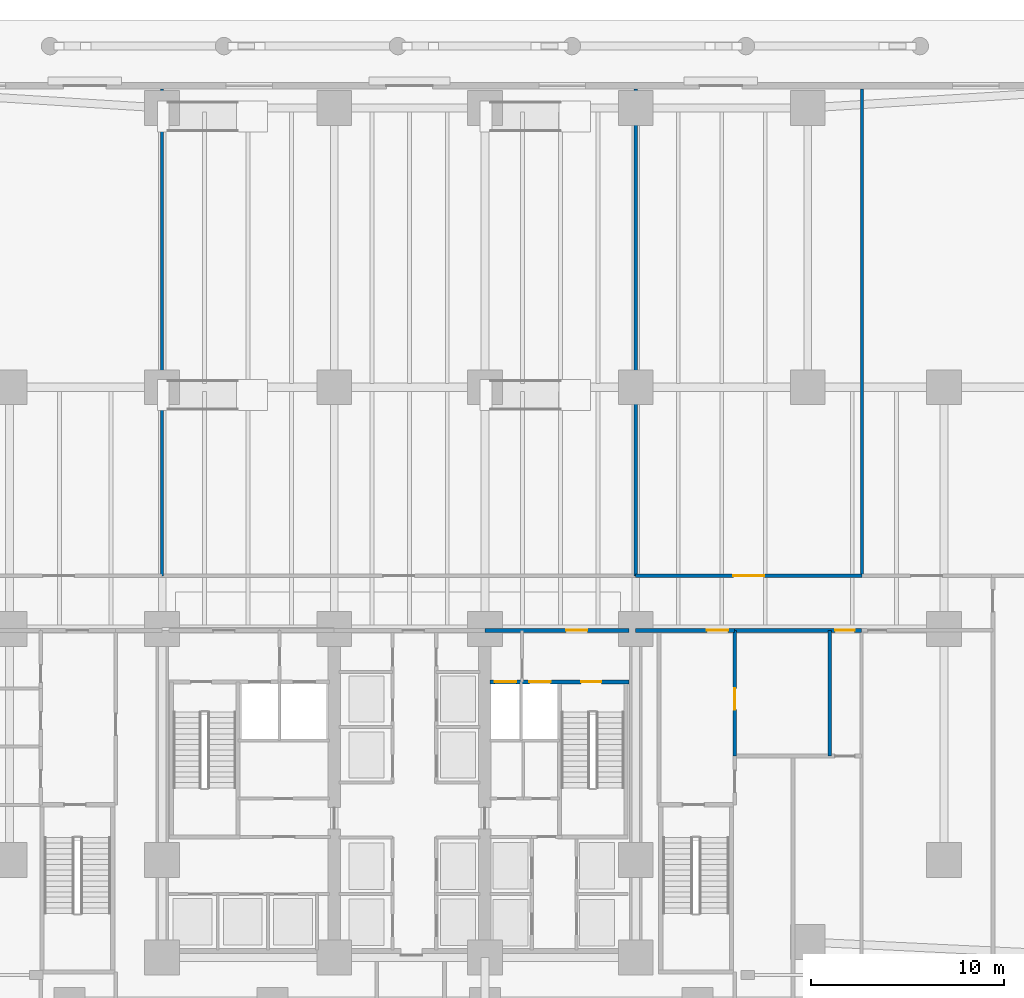
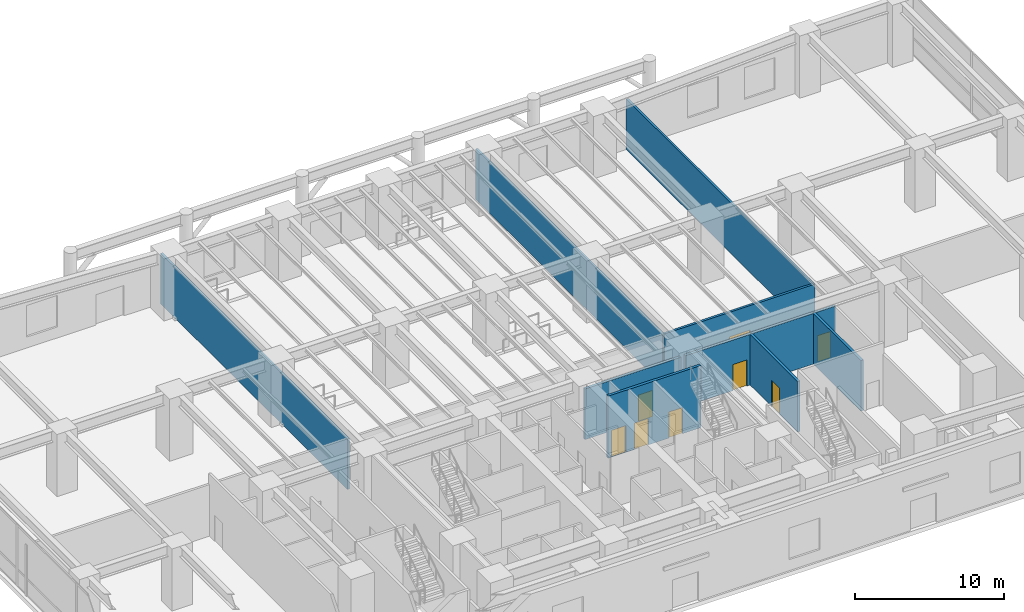
# One storey, part 13 of 19: 10 walls, 8 doors, 8 openings.
"""IFC4 building model written with IfcOpenShell, lengths in metres."""

from ifc_helpers import new_model, si_unit, direction, frame, frame_2d, origin, place, context, subcontext, project, spatial, rectangle, extrude, material, layer, layer_set, type_object, element, fill, save


model = new_model("IFC4")

# Units and contexts
model_context = context("Model", 3, precision=1e-05, world=origin(), true_north=direction((0.0, 1.0)))
body_context = subcontext(model_context, "Body", "Model", "MODEL_VIEW")
ifc_project = project(units=[si_unit("LENGTHUNIT", "METRE"), si_unit("AREAUNIT", "SQUARE_METRE"), si_unit("VOLUMEUNIT", "CUBIC_METRE"), si_unit("PLANEANGLEUNIT", "RADIAN"), si_unit("MASSUNIT", "GRAM", prefix="KILO")], contexts=[model_context])

# Site, building, storey
site_placement = place(None, origin())
site = spatial("IfcSite", under=ifc_project, at=site_placement, CompositionType="ELEMENT")
building_placement = place(site_placement, origin())
building = spatial("IfcBuilding", under=site, at=building_placement, Name="Qalmaran Belvedere Hotel", CompositionType="ELEMENT")
storey_placement = place(building_placement, origin())
storey = spatial("IfcBuildingStorey", under=building, at=storey_placement, Name="L00", CompositionType="ELEMENT", Elevation=0.0)

# Walls
ifc_material_1 = material(Name="Gypsum Stud Partition")
ifc_layer_1 = layer(ifc_material_1, 0.159912109375, Name="Gypsum Stud Partition")
ifc_layer_set_1 = layer_set([ifc_layer_1], Name="Gypsum Stud Partition")
wall_type_1 = type_object("IfcWallType", Name="WL-INT-160-EI60", PredefinedType="PARTITIONING", material=ifc_layer_set_1)
for number, where, z_axis, x_axis, name in (
    (1, (20.300048828125, 23.25, 0.0), (0.0, 0.0, 1.0), (0.0, 1.0, 0.0), "L00 Partition WL-L00-GV1"),
    (2, (44.800048828125, 23.25, 0.0), (0.0, 0.0, 1.0), (0.0, 1.0, 0.0), "L00 Partition WL-L00-GV2"),
    (3, (56.5, 23.25, 0.0), (0.0, 0.0, 1.0), (0.0, 1.0, 0.0), "L00 Partition WL-L00-GV3"),
):
    element("IfcWall", number, at=place(storey_placement, frame(where, z_axis=z_axis, x_axis=x_axis)), inside=storey, type_object=wall_type_1, Name=name, PredefinedType="PARTITIONING", context=body_context, shape_type="SweptSolid", body=[
        extrude(rectangle(XDim=25.169921875, YDim=0.159912109375, at=frame_2d((12.5849609375, 0.0))), origin(), (0.0, 0.0, 1.0), 4.1640625),
    ])

# Wall, opening, door
ifc_layer_2 = layer(ifc_material_1, 0.179931640625, Name="Gypsum Stud Partition")
ifc_layer_set_2 = layer_set([ifc_layer_2], Name="Gypsum Stud Partition")
wall_type_2 = type_object("IfcWallType", Name="WL-INT-180-EI60", PredefinedType="PARTITIONING", material=ifc_layer_set_2)
wall_1_placement = place(storey_placement, frame((44.800048828125, 23.25, 0.0), z_axis=(0.0, 0.0, 1.0), x_axis=(1.0, 0.0, 0.0)))
wall_1 = element("IfcWall", 4, at=wall_1_placement, inside=storey, type_object=wall_type_2, Name="L00 Partition WL-L00-GND3", PredefinedType="PARTITIONING", context=body_context, shape_type="SweptSolid", body=[
    extrude(rectangle(XDim=11.699951171875, YDim=0.179931640625, at=frame_2d((5.85009765625, 0.0))), origin(), (0.0, 0.0, 1.0), 4.22998046875),
])
opening_1_placement = place(wall_1_placement, frame((5.050048828125, 0.0, 0.0)))
opening_1 = element("IfcOpeningElement", 5, at=opening_1_placement, cuts=wall_1, Name="Opening FD60D", PredefinedType="OPENING", context=body_context, shape_type="SweptSolid", body=[
    extrude(rectangle(XDim=1.60009765625, YDim=2.219970703125, at=frame_2d((0.800048828125, 1.10986328125))), frame((0.0, 0.10009765625, 0.0), z_axis=(0.0, -1.0, 0.0), x_axis=(1.0, 0.0, 0.0)), (0.0, 0.0, 1.0), 0.199951171875),
])
ifc_material_2 = material(Name="Engineered Oak Veneer")
door_type_1 = type_object("IfcDoorType", Name="DR-FD60D-1600X2220", OperationType="NOTDEFINED", PredefinedType="DOOR", material=ifc_material_2)
door_1_placement = place(opening_1_placement, origin())
door_1 = element("IfcDoor", 6, at=door_1_placement, inside=storey, type_object=door_type_1, Name="L00 Public Observation Express Concourse Door", OperationType="DOUBLE_DOOR_SINGLE_SWING", OverallHeight=2.219970703125, OverallWidth=1.60009765625, PredefinedType="DOOR", context=body_context, shape_type="SweptSolid", body=[
    extrude(rectangle(XDim=1.60009765625, YDim=2.219970703125, at=frame_2d((0.800048828125, 1.10986328125))), frame((0.0, 0.02490234375, 0.0), z_axis=(0.0, -1.0, 0.0), x_axis=(1.0, 0.0, 0.0)), (0.0, 0.0, 1.0), 0.050048828125),
])
fill(opening_1, door_1)

ifc_material_3 = material(Name="Concrete C30/37 Blockwork", Category="masonry")
ifc_layer_3 = layer(ifc_material_3, 0.199951171875, Name="Concrete C30/37 Blockwork")
ifc_layer_set_3 = layer_set([ifc_layer_3], Name="Concrete C30/37 Blockwork")
wall_type_3 = type_object("IfcWallType", Name="WL-INT-200-EI120", PredefinedType="PARTITIONING", material=ifc_layer_set_3)
wall_2_placement = place(storey_placement, frame((37.0, 20.419921875, 0.0), z_axis=(0.0, 0.0, 1.0), x_axis=(1.0, 0.0, 0.0)))
wall_2 = element("IfcWall", 7, at=wall_2_placement, inside=storey, type_object=wall_type_3, Name="L00 Partition WL-CN3-L00", PredefinedType="PARTITIONING", context=body_context, shape_type="SweptSolid", body=[
    extrude(rectangle(XDim=7.449951171875, YDim=0.199951171875, at=frame_2d((3.72509765625, 0.0))), origin(), (0.0, 0.0, 1.0), 4.1640625),
])
opening_2_placement = place(wall_2_placement, frame((4.199951171875, 0.0, 0.0)))
opening_2 = element("IfcOpeningElement", 8, at=opening_2_placement, cuts=wall_2, Name="Opening FD90", PredefinedType="OPENING", context=body_context, shape_type="SweptSolid", body=[
    extrude(rectangle(XDim=1.10009765625, YDim=2.14990234375, at=frame_2d((0.550048828125, 1.074951171875))), frame((0.0, 0.10986328125, 0.0), z_axis=(0.0, -1.0, 0.0), x_axis=(1.0, 0.0, 0.0)), (0.0, 0.0, 1.0), 0.219970703125),
])
ifc_material_4 = material(Name="Steel S355JR", Category="steel")
door_type_2 = type_object("IfcDoorType", Name="DR-FD90-1100X2150", OperationType="NOTDEFINED", PredefinedType="DOOR", material=ifc_material_4)
door_2_placement = place(opening_2_placement, origin())
door_2 = element("IfcDoor", 9, at=door_2_placement, inside=storey, type_object=door_type_2, Name="L00 FF2 Lobby Corridor Door", OperationType="SINGLE_SWING_LEFT", OverallHeight=2.14990234375, OverallWidth=1.10009765625, PredefinedType="DOOR", context=body_context, shape_type="SweptSolid", body=[
    extrude(rectangle(XDim=1.10009765625, YDim=2.14990234375, at=frame_2d((0.550048828125, 1.074951171875))), frame((0.0, 0.02490234375, 0.0), z_axis=(0.0, -1.0, 0.0), x_axis=(1.0, 0.0, 0.0)), (0.0, 0.0, 1.0), 0.050048828125),
])
fill(opening_2, door_2)

wall_3_placement = place(storey_placement, frame((49.919921875, 13.919921875, 0.0), z_axis=(0.0, 0.0, 1.0), x_axis=(0.0, 1.0, 0.0)))
wall_3 = element("IfcWall", 10, at=wall_3_placement, inside=storey, type_object=wall_type_3, Name="L00 Partition WL-L00-STPE2B", PredefinedType="PARTITIONING", context=body_context, shape_type="SweptSolid", body=[
    extrude(rectangle(XDim=6.5, YDim=0.199951171875, at=frame_2d((3.25, 0.0))), origin(), (0.0, 0.0, 1.0), 4.1640625),
])
opening_3_placement = place(wall_3_placement, frame((3.5, 0.0, 0.0), z_axis=(0.0, 0.0, 1.0), x_axis=(-1.0, 0.0, 0.0)))
opening_3 = element("IfcOpeningElement", 11, at=opening_3_placement, cuts=wall_3, Name="Opening FD90", PredefinedType="OPENING", context=body_context, shape_type="SweptSolid", body=[
    extrude(rectangle(XDim=1.10009765625, YDim=2.14990234375, at=frame_2d((0.550048828125, 1.074951171875))), frame((0.0, 0.10986328125, 0.0), z_axis=(0.0, -1.0, 0.0), x_axis=(1.0, 0.0, 0.0)), (0.0, 0.0, 1.0), 0.219970703125),
])
door_3_placement = place(opening_3_placement, origin())
door_3 = element("IfcDoor", 12, at=door_3_placement, inside=storey, type_object=door_type_2, Name="L00 Fire Command Door", OperationType="SINGLE_SWING_LEFT", OverallHeight=2.14990234375, OverallWidth=1.10009765625, PredefinedType="DOOR", context=body_context, shape_type="SweptSolid", body=[
    extrude(rectangle(XDim=1.10009765625, YDim=2.14990234375, at=frame_2d((0.550048828125, 1.074951171875))), frame((0.0, 0.02490234375, 0.0), z_axis=(0.0, -1.0, 0.0), x_axis=(1.0, 0.0, 0.0)), (0.0, 0.0, 1.0), 0.050048828125),
])
fill(opening_3, door_3)

wall_4_placement = place(storey_placement, frame((44.800048828125, 20.419921875, 0.0), z_axis=(0.0, 0.0, 1.0), x_axis=(1.0, 0.0, 0.0)))
wall_4 = element("IfcWall", 13, at=wall_4_placement, inside=storey, type_object=wall_type_3, Name="L00 Partition WL-L00-CSE", PredefinedType="PARTITIONING", context=body_context, shape_type="SweptSolid", body=[
    extrude(rectangle(XDim=5.119873046875, YDim=0.199951171875, at=frame_2d((2.56005859375, 0.0))), origin(), (0.0, 0.0, 1.0), 4.1640625),
])
opening_4_placement = place(wall_4_placement, frame((3.6806640625, 0.0, 0.0)))
opening_4 = element("IfcOpeningElement", 14, at=opening_4_placement, cuts=wall_4, Name="Opening FD90", PredefinedType="OPENING", context=body_context, shape_type="SweptSolid", body=[
    extrude(rectangle(XDim=1.10009765625, YDim=2.14990234375, at=frame_2d((0.550048828125, 1.074951171875))), frame((0.0, 0.10986328125, 0.0), z_axis=(0.0, -1.0, 0.0), x_axis=(1.0, 0.0, 0.0)), (0.0, 0.0, 1.0), 0.219970703125),
])
door_4_placement = place(opening_4_placement, origin())
door_4 = element("IfcDoor", 15, at=door_4_placement, inside=storey, type_object=door_type_2, Name="L00 East Stair Corridor Door", OperationType="SINGLE_SWING_RIGHT", OverallHeight=2.14990234375, OverallWidth=1.10009765625, PredefinedType="DOOR", context=body_context, shape_type="SweptSolid", body=[
    extrude(rectangle(XDim=1.10009765625, YDim=2.14990234375, at=frame_2d((0.550048828125, 1.074951171875))), frame((0.0, 0.02490234375, 0.0), z_axis=(0.0, -1.0, 0.0), x_axis=(1.0, 0.0, 0.0)), (0.0, 0.0, 1.0), 0.050048828125),
])
fill(opening_4, door_4)

wall_5_placement = place(storey_placement, frame((49.919921875, 20.419921875, 0.0), z_axis=(0.0, 0.0, 1.0), x_axis=(1.0, 0.0, 0.0)))
wall_5 = element("IfcWall", 16, at=wall_5_placement, inside=storey, type_object=wall_type_3, Name="L00 Partition WL-L00-CSEN", PredefinedType="PARTITIONING", context=body_context, shape_type="SweptSolid", body=[
    extrude(rectangle(XDim=6.56005859375, YDim=0.199951171875, at=frame_2d((3.280029296875, 0.0))), origin(), (0.0, 0.0, 1.0), 4.1640625),
])
opening_5_placement = place(wall_5_placement, frame((5.199951171875, 0.0, 0.0)))
opening_5 = element("IfcOpeningElement", 17, at=opening_5_placement, cuts=wall_5, Name="Opening FD90B", PredefinedType="OPENING", context=body_context, shape_type="SweptSolid", body=[
    extrude(rectangle(XDim=1.0, YDim=2.14990234375, at=frame_2d((0.5, 1.074951171875))), frame((0.0, 0.10986328125, 0.0), z_axis=(0.0, -1.0, 0.0), x_axis=(1.0, 0.0, 0.0)), (0.0, 0.0, 1.0), 0.219970703125),
])
door_type_3 = type_object("IfcDoorType", Name="DR-FD90B-1000X2150", OperationType="NOTDEFINED", PredefinedType="DOOR", material=ifc_material_4)
door_5_placement = place(opening_5_placement, origin())
door_5 = element("IfcDoor", 18, at=door_5_placement, inside=storey, type_object=door_type_3, Name="L00 Kitchen Service Corridor Door", OperationType="SINGLE_SWING_LEFT", OverallHeight=2.14990234375, OverallWidth=1.0, PredefinedType="DOOR", context=body_context, shape_type="SweptSolid", body=[
    extrude(rectangle(XDim=1.0, YDim=2.14990234375, at=frame_2d((0.5, 1.074951171875))), frame((0.0, 0.02490234375, 0.0), z_axis=(0.0, -1.0, 0.0), x_axis=(1.0, 0.0, 0.0)), (0.0, 0.0, 1.0), 0.050048828125),
])
fill(opening_5, door_5)

# Wall
wall_6_placement = place(storey_placement, frame((54.840087890625, 13.919921875, 0.0), z_axis=(0.0, 0.0, 1.0), x_axis=(0.0, 1.0, 0.0)))
element("IfcWall", 19, at=wall_6_placement, inside=storey, type_object=wall_type_3, Name="L00 Partition WL-L00-KSCW", PredefinedType="PARTITIONING", context=body_context, shape_type="SweptSolid", body=[
    extrude(rectangle(XDim=6.5, YDim=0.199951171875, at=frame_2d((3.25, 0.0))), origin(), (0.0, 0.0, 1.0), 4.1640625),
])

# Wall, openings, doors
ifc_material_5 = material(Name="Concrete C50/60", Category="concrete")
ifc_layer_4 = layer(ifc_material_5, 0.2099609375, Name="Concrete C50/60")
ifc_layer_set_4 = layer_set([ifc_layer_4], Name="Concrete C50/60")
wall_type_4 = type_object("IfcWallType", Name="WL-STAIR-210-C50", PredefinedType="SHEAR", material=ifc_layer_set_4)
wall_7_placement = place(storey_placement, frame((37.25, 17.7548828125, 0.0), z_axis=(0.0, 0.0, 1.0), x_axis=(1.0, 0.0, 0.0)))
wall_7 = element("IfcWall", 20, at=wall_7_placement, inside=storey, type_object=wall_type_4, Name="L00 East Lobby and Stair ST-2 North Bearing Wall", PredefinedType="SHEAR", context=body_context, shape_type="SweptSolid", body=[
    extrude(rectangle(XDim=7.199951171875, YDim=0.2099609375, at=frame_2d((3.60009765625, 0.0))), origin(), (0.0, 0.0, 1.0), 5.10009765625),
])
opening_6_placement = place(wall_7_placement, frame((0.25, 0.0, 0.0)))
opening_6 = element("IfcOpeningElement", 21, at=opening_6_placement, cuts=wall_7, Name="Opening LD-SV", PredefinedType="OPENING", context=body_context, shape_type="SweptSolid", body=[
    extrude(rectangle(XDim=1.1201171875, YDim=2.199951171875, at=frame_2d((0.56005859375, 1.10009765625))), frame((0.0, 0.114990234375, 0.0), z_axis=(0.0, -1.0, 0.0), x_axis=(1.0, 0.0, 0.0)), (0.0, 0.0, 1.0), 0.22998046875),
])
opening_7_placement = place(wall_7_placement, frame((2.050048828125, 0.0, 0.0)))
opening_7 = element("IfcOpeningElement", 22, at=opening_7_placement, cuts=wall_7, Name="Opening LD-FF", PredefinedType="OPENING", context=body_context, shape_type="SweptSolid", body=[
    extrude(rectangle(XDim=1.10009765625, YDim=2.179931640625, at=frame_2d((0.550048828125, 1.08984375))), frame((0.0, 0.114990234375, 0.0), z_axis=(0.0, -1.0, 0.0), x_axis=(1.0, 0.0, 0.0)), (0.0, 0.0, 1.0), 0.22998046875),
])
opening_8_placement = place(wall_7_placement, frame((4.72998046875, 0.0, 0.0)))
opening_8 = element("IfcOpeningElement", 23, at=opening_8_placement, cuts=wall_7, Name="Opening FD90S2", PredefinedType="OPENING", context=body_context, shape_type="SweptSolid", body=[
    extrude(rectangle(XDim=1.050048828125, YDim=2.14990234375, at=frame_2d((0.52490234375, 1.074951171875))), frame((0.0, 0.114990234375, 0.0), z_axis=(0.0, -1.0, 0.0), x_axis=(1.0, 0.0, 0.0)), (0.0, 0.0, 1.0), 0.22998046875),
])
door_type_4 = type_object("IfcDoorType", Name="DR-FD90S-1050X2150", OperationType="NOTDEFINED", PredefinedType="DOOR", material=ifc_material_4)
door_6_placement = place(opening_8_placement, origin())
door_6 = element("IfcDoor", 24, at=door_6_placement, inside=storey, type_object=door_type_4, Name="L00 Stair ST-2 Door", OperationType="SINGLE_SWING_LEFT", OverallHeight=2.14990234375, OverallWidth=1.050048828125, PredefinedType="DOOR", context=body_context, shape_type="SweptSolid", body=[
    extrude(rectangle(XDim=1.050048828125, YDim=2.14990234375, at=frame_2d((0.52490234375, 1.074951171875))), frame((0.0, 0.02490234375, 0.0), z_axis=(0.0, -1.0, 0.0), x_axis=(1.0, 0.0, 0.0)), (0.0, 0.0, 1.0), 0.050048828125),
])
fill(opening_8, door_6)
ifc_material_6 = material(Name="Stainless Steel 1.4401", Category="steel")
door_type_5 = type_object("IfcDoorType", Name="DR-LIFT-FF-1100X2180", OperationType="DOUBLE_DOOR_SLIDING", PredefinedType="DOOR", material=ifc_material_6)
door_7_placement = place(opening_7_placement, origin())
door_7 = element("IfcDoor", 25, at=door_7_placement, inside=storey, type_object=door_type_5, Name="L00 FF2 Lift Landing Door", OperationType="DOUBLE_DOOR_SLIDING", OverallHeight=2.179931640625, OverallWidth=1.10009765625, PredefinedType="DOOR", context=body_context, shape_type="SweptSolid", body=[
    extrude(rectangle(XDim=1.10009765625, YDim=2.179931640625, at=frame_2d((0.550048828125, 1.08984375))), frame((0.0, 0.02490234375, 0.0), z_axis=(0.0, -1.0, 0.0), x_axis=(1.0, 0.0, 0.0)), (0.0, 0.0, 1.0), 0.050048828125),
])
fill(opening_7, door_7)
door_type_6 = type_object("IfcDoorType", Name="DR-LIFT-SV-1120X2200", OperationType="DOUBLE_DOOR_SLIDING", PredefinedType="DOOR", material=ifc_material_6)
door_8_placement = place(opening_6_placement, origin())
door_8 = element("IfcDoor", 26, at=door_8_placement, inside=storey, type_object=door_type_6, Name="L00 SV2 Lift Landing Door", OperationType="DOUBLE_DOOR_SLIDING", OverallHeight=2.199951171875, OverallWidth=1.1201171875, PredefinedType="DOOR", context=body_context, shape_type="SweptSolid", body=[
    extrude(rectangle(XDim=1.1201171875, YDim=2.199951171875, at=frame_2d((0.56005859375, 1.10009765625))), frame((0.0, 0.02490234375, 0.0), z_axis=(0.0, -1.0, 0.0), x_axis=(1.0, 0.0, 0.0)), (0.0, 0.0, 1.0), 0.050048828125),
])
fill(opening_6, door_8)

save(model, "model.ifc")
